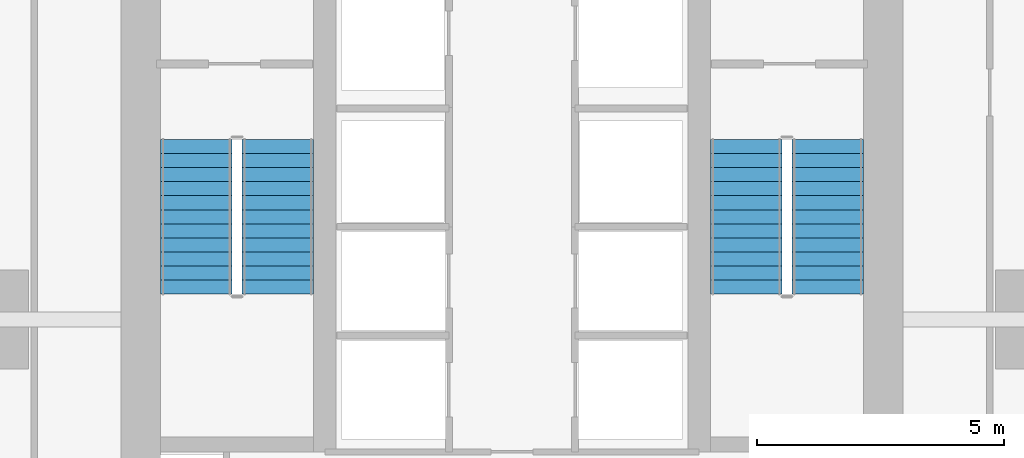
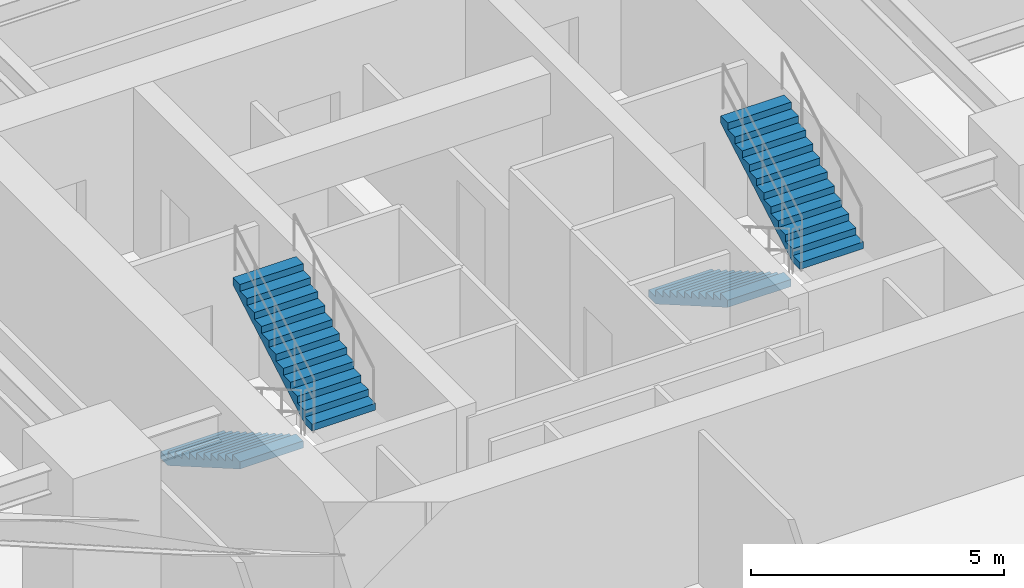
# One storey, part 25 of 27: 4 stair flights, 2 elements without a shape of their own.
"""IFC4 building model written with IfcOpenShell, lengths in metres."""

from ifc_helpers import new_model, si_unit, direction, frame, origin, place, context, subcontext, project, spatial, polyline, outline, extrude, material, type_object, element, aggregate, save


model = new_model("IFC4")

# Units and contexts
model_context = context("Model", 3, precision=1e-05, world=origin(), true_north=direction((0.0, 1.0)))
body_context = subcontext(model_context, "Body", "Model", "MODEL_VIEW")
ifc_project = project(units=[si_unit("LENGTHUNIT", "METRE"), si_unit("AREAUNIT", "SQUARE_METRE"), si_unit("VOLUMEUNIT", "CUBIC_METRE"), si_unit("PLANEANGLEUNIT", "RADIAN"), si_unit("MASSUNIT", "GRAM", prefix="KILO")], contexts=[model_context])

# Site, building, storey
site_placement = place(None, origin())
site = spatial("IfcSite", under=ifc_project, at=site_placement, CompositionType="ELEMENT")
building_placement = place(site_placement, origin())
building = spatial("IfcBuilding", under=site, at=building_placement, Name="Krantzveldt Concourse Tower", CompositionType="ELEMENT")
storey_placement = place(building_placement, frame((0.0, 0.0, 125.60009765625)))
storey = spatial("IfcBuildingStorey", under=building, at=storey_placement, Name="L30", CompositionType="ELEMENT", Elevation=125.60009765625)

# Stair, stair flights
ifc_material = material(Name="Precast concrete C40/50", Category="concrete")
stair_type = type_object("IfcStairType", Name="STR-CORE-DOGLEG", PredefinedType="HALF_TURN_STAIR", material=ifc_material)
stair_1_placement = place(storey_placement, origin())
stair_1 = element("IfcStair", 1, at=stair_1_placement, inside=storey, type_object=stair_type, Name="L30 Protected Escape Stair ST-1", PredefinedType="HALF_TURN_STAIR")
stair_flight_type = type_object("IfcStairFlightType", Name="STF-CORE-1450", PredefinedType="STRAIGHT", material=ifc_material)
stair_flight_1_placement = place(storey_placement, frame((29.60498046875, 19.550048828125, 0.0), z_axis=(0.0, 0.0, 1.0), x_axis=(0.0, -1.0, 0.0)))
stair_flight_1 = element("IfcStairFlight", 2, at=stair_flight_1_placement, type_object=stair_flight_type, Name="ST-1 flight 1", NumberOfRisers=12, NumberOfTreads=11, PredefinedType="STRAIGHT", RiserHeight=0.164583333, TreadLength=0.285, context=body_context, shape_type="SweptSolid", body=[
    extrude(outline(polyline([(0.0, 0.0), (0.0, 0.16455078125), (0.284912109375, 0.16455078125), (0.284912109375, 0.3291015625), (0.570068359375, 0.3291015625), (0.570068359375, 0.49365234375), (0.85498046875, 0.49365234375), (0.85498046875, 0.658447265625), (1.139892578125, 0.658447265625), (1.139892578125, 0.822998046875), (1.425048828125, 0.822998046875), (1.425048828125, 0.987548828125), (1.7099609375, 0.987548828125), (1.7099609375, 1.152099609375), (1.9951171875, 1.152099609375), (1.9951171875, 1.316650390625), (2.280029296875, 1.316650390625), (2.280029296875, 1.481201171875), (2.56494140625, 1.481201171875), (2.56494140625, 1.645751953125), (2.85009765625, 1.645751953125), (2.85009765625, 1.810302734375), (3.135009765625, 1.810302734375), (3.135009765625, 1.97509765625), (3.135009765625, 1.63720703125), (0.2998046875, 0.0), (0.0, 0.0)])), frame((0.0, 0.72509765625, 0.0), z_axis=(0.0, -1.0, 0.0), x_axis=(1.0, 0.0, 0.0)), (0.0, 0.0, 1.0), 1.449951171875),
])
stair_flight_2_placement = place(storey_placement, frame((31.2548828125, 16.4150390625, 1.974853515625), z_axis=(0.0, 0.0, 1.0), x_axis=(0.0, 1.0, 0.0)))
stair_flight_2 = element("IfcStairFlight", 3, at=stair_flight_2_placement, type_object=stair_flight_type, Name="ST-1 flight 2", NumberOfRisers=12, NumberOfTreads=11, PredefinedType="STRAIGHT", RiserHeight=0.164583333, TreadLength=0.285, context=body_context, shape_type="SweptSolid", body=[
    extrude(outline(polyline([(0.0, 0.0), (0.0, 0.16455078125), (0.284912109375, 0.16455078125), (0.284912109375, 0.3291015625), (0.570068359375, 0.3291015625), (0.570068359375, 0.49365234375), (0.85498046875, 0.49365234375), (0.85498046875, 0.658447265625), (1.139892578125, 0.658447265625), (1.139892578125, 0.822998046875), (1.425048828125, 0.822998046875), (1.425048828125, 0.987548828125), (1.7099609375, 0.987548828125), (1.7099609375, 1.152099609375), (1.9951171875, 1.152099609375), (1.9951171875, 1.316650390625), (2.280029296875, 1.316650390625), (2.280029296875, 1.481201171875), (2.56494140625, 1.481201171875), (2.56494140625, 1.645751953125), (2.85009765625, 1.645751953125), (2.85009765625, 1.810302734375), (3.135009765625, 1.810302734375), (3.135009765625, 1.97509765625), (3.135009765625, 1.63720703125), (0.2998046875, 0.0), (0.0, 0.0)])), frame((0.0, 0.72509765625, 0.0), z_axis=(0.0, -1.0, 0.0), x_axis=(1.0, 0.0, 0.0)), (0.0, 0.0, 1.0), 1.449951171875),
])
aggregate(stair_1, [stair_flight_1, stair_flight_2])

stair_2_placement = place(storey_placement, origin())
stair_2 = element("IfcStair", 4, at=stair_2_placement, inside=storey, type_object=stair_type, Name="L30 Protected Escape Stair ST-2", PredefinedType="HALF_TURN_STAIR")
stair_flight_3_placement = place(storey_placement, frame((40.7451171875, 19.550048828125, 0.0), z_axis=(0.0, 0.0, 1.0), x_axis=(0.0, -1.0, 0.0)))
stair_flight_3 = element("IfcStairFlight", 5, at=stair_flight_3_placement, type_object=stair_flight_type, Name="ST-2 flight 1", NumberOfRisers=12, NumberOfTreads=11, PredefinedType="STRAIGHT", RiserHeight=0.164583333, TreadLength=0.285, context=body_context, shape_type="SweptSolid", body=[
    extrude(outline(polyline([(0.0, 0.0), (0.0, 0.16455078125), (0.284912109375, 0.16455078125), (0.284912109375, 0.3291015625), (0.570068359375, 0.3291015625), (0.570068359375, 0.49365234375), (0.85498046875, 0.49365234375), (0.85498046875, 0.658447265625), (1.139892578125, 0.658447265625), (1.139892578125, 0.822998046875), (1.425048828125, 0.822998046875), (1.425048828125, 0.987548828125), (1.7099609375, 0.987548828125), (1.7099609375, 1.152099609375), (1.9951171875, 1.152099609375), (1.9951171875, 1.316650390625), (2.280029296875, 1.316650390625), (2.280029296875, 1.481201171875), (2.56494140625, 1.481201171875), (2.56494140625, 1.645751953125), (2.85009765625, 1.645751953125), (2.85009765625, 1.810302734375), (3.135009765625, 1.810302734375), (3.135009765625, 1.97509765625), (3.135009765625, 1.63720703125), (0.2998046875, 0.0), (0.0, 0.0)])), frame((0.0, 0.72509765625, 0.0), z_axis=(0.0, -1.0, 0.0), x_axis=(1.0, 0.0, 0.0)), (0.0, 0.0, 1.0), 1.449951171875),
])
stair_flight_4_placement = place(storey_placement, frame((42.39501953125, 16.4150390625, 1.974853515625), z_axis=(0.0, 0.0, 1.0), x_axis=(0.0, 1.0, 0.0)))
stair_flight_4 = element("IfcStairFlight", 6, at=stair_flight_4_placement, type_object=stair_flight_type, Name="ST-2 flight 2", NumberOfRisers=12, NumberOfTreads=11, PredefinedType="STRAIGHT", RiserHeight=0.164583333, TreadLength=0.285, context=body_context, shape_type="SweptSolid", body=[
    extrude(outline(polyline([(0.0, 0.0), (0.0, 0.16455078125), (0.284912109375, 0.16455078125), (0.284912109375, 0.3291015625), (0.570068359375, 0.3291015625), (0.570068359375, 0.49365234375), (0.85498046875, 0.49365234375), (0.85498046875, 0.658447265625), (1.139892578125, 0.658447265625), (1.139892578125, 0.822998046875), (1.425048828125, 0.822998046875), (1.425048828125, 0.987548828125), (1.7099609375, 0.987548828125), (1.7099609375, 1.152099609375), (1.9951171875, 1.152099609375), (1.9951171875, 1.316650390625), (2.280029296875, 1.316650390625), (2.280029296875, 1.481201171875), (2.56494140625, 1.481201171875), (2.56494140625, 1.645751953125), (2.85009765625, 1.645751953125), (2.85009765625, 1.810302734375), (3.135009765625, 1.810302734375), (3.135009765625, 1.97509765625), (3.135009765625, 1.63720703125), (0.2998046875, 0.0), (0.0, 0.0)])), frame((0.0, 0.72509765625, 0.0), z_axis=(0.0, -1.0, 0.0), x_axis=(1.0, 0.0, 0.0)), (0.0, 0.0, 1.0), 1.449951171875),
])
aggregate(stair_2, [stair_flight_3, stair_flight_4])

save(model, "model.ifc")
